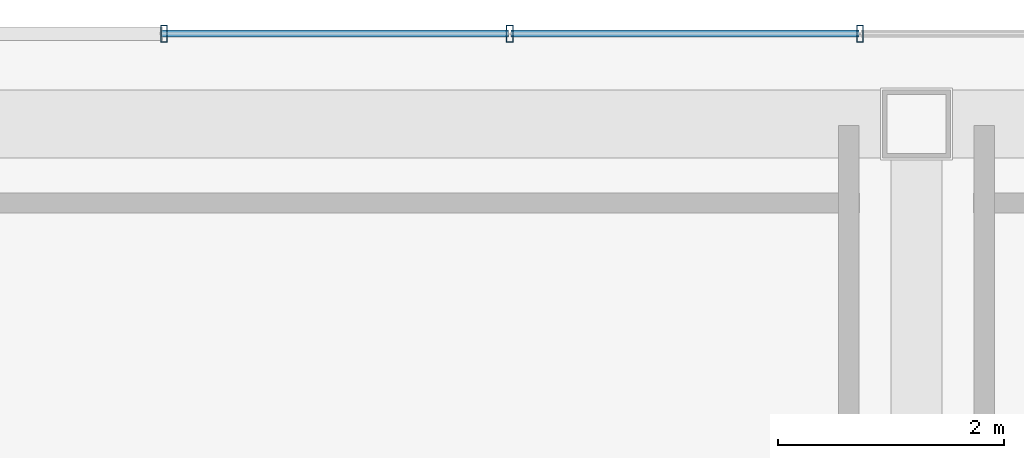
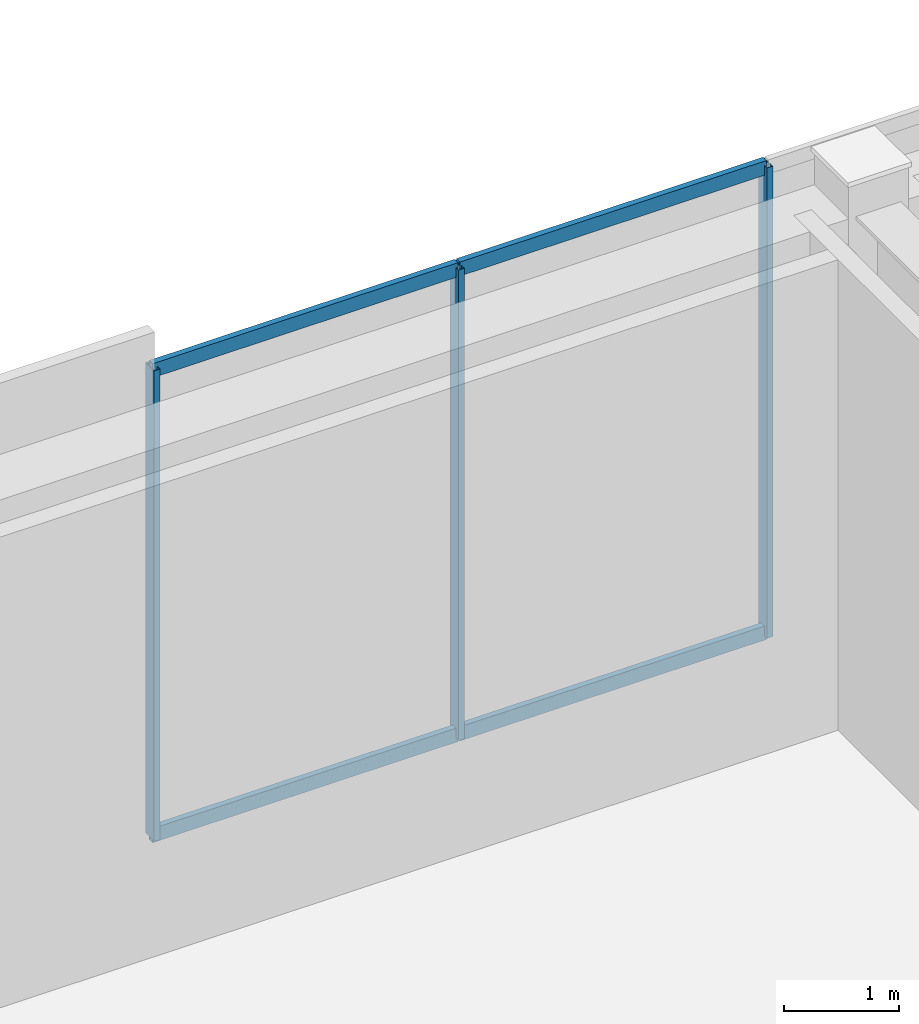
# One storey, part 5 of 9: 7 members, 1 element without a shape of its own.
"""IFC4 building model written with IfcOpenShell, lengths in metres."""

from ifc_helpers import new_model, si_unit, direction, frame, origin, origin_2d, place, context, subcontext, project, spatial, hollow_rectangle, extrude, material, material_profile, profile_set, type_object, element, aggregate, save


model = new_model("IFC4")

# Units and contexts
model_context = context("Model", 3, precision=1e-05, world=origin(), true_north=direction((0.0, 1.0)))
body_context = subcontext(model_context, "Body", "Model", "MODEL_VIEW")
ifc_project = project(units=[si_unit("LENGTHUNIT", "METRE"), si_unit("AREAUNIT", "SQUARE_METRE"), si_unit("VOLUMEUNIT", "CUBIC_METRE"), si_unit("PLANEANGLEUNIT", "RADIAN"), si_unit("MASSUNIT", "GRAM", prefix="KILO")], contexts=[model_context])

# Site, building, storey
site_placement = place(None, origin())
site = spatial("IfcSite", under=ifc_project, at=site_placement, CompositionType="ELEMENT")
building_placement = place(site_placement, origin())
building = spatial("IfcBuilding", under=site, at=building_placement, Name="Ventersveld Concourse Tower", CompositionType="ELEMENT")
storey_placement = place(building_placement, frame((0.0, 0.0, 388.25)))
storey = spatial("IfcBuildingStorey", under=building, at=storey_placement, Name="L94", CompositionType="ELEMENT", Elevation=388.25)

# Curtain wall, members
ifc_material = material(Name="Anodised aluminium EN AW-6063-T6", Category="aluminium")
curtain_wall_type = type_object("IfcCurtainWallType", Name="CW-CRN-6", PredefinedType="NOTDEFINED", material=ifc_material)
curtain_wall_placement = place(storey_placement, origin())
curtain_wall = element("IfcCurtainWall", 1, at=curtain_wall_placement, inside=storey, type_object=curtain_wall_type, Name="L94 L94 Crown North Glazed Curtain Wall 1", PredefinedType="NOTDEFINED")
ifc_material_profile_1 = material_profile(ifc_material, hollow_rectangle(XDim=0.06005859375, YDim=0.14990234375, WallThickness=0.00390625, at=origin_2d()), Name="ALU 150x60x4")
ifc_profile_set_1 = profile_set([ifc_material_profile_1], Name="Anodised aluminium EN AW-6063-T6")
member_type_1 = type_object("IfcMemberType", Name="CWM-150x65", PredefinedType="MULLION", material=ifc_profile_set_1)
member_1_placement = place(storey_placement, frame((35.75, 22.0, 0.0), z_axis=(0.0, 0.0, 1.0), x_axis=(1.0, 0.0, 0.0)))
member_1 = element("IfcMember", 2, at=member_1_placement, type_object=member_type_1, Name="CW-L94-N1 Mullion 03", PredefinedType="MULLION", context=body_context, shape_type="SweptSolid", body=[
    extrude(hollow_rectangle(XDim=0.06005859375, YDim=0.14990234375, WallThickness=0.00390625, at=origin_2d()), origin(), (0.0, 0.0, 1.0), 5.0),
])
member_2_placement = place(storey_placement, frame((32.64990234375, 22.0, 0.0), z_axis=(0.0, 0.0, 1.0), x_axis=(1.0, 0.0, 0.0)))
member_2 = element("IfcMember", 3, at=member_2_placement, type_object=member_type_1, Name="CW-L94-N1 Mullion 04", PredefinedType="MULLION", context=body_context, shape_type="SweptSolid", body=[
    extrude(hollow_rectangle(XDim=0.06005859375, YDim=0.14990234375, WallThickness=0.00390625, at=origin_2d()), origin(), (0.0, 0.0, 1.0), 5.0),
])
member_3_placement = place(storey_placement, frame((29.590087890625, 22.0, 0.0), z_axis=(0.0, 0.0, 1.0), x_axis=(1.0, 0.0, 0.0)))
member_3 = element("IfcMember", 4, at=member_3_placement, type_object=member_type_1, Name="CW-L94-N1 Mullion 05", PredefinedType="MULLION", context=body_context, shape_type="SweptSolid", body=[
    extrude(hollow_rectangle(XDim=0.06005859375, YDim=0.14990234375, WallThickness=0.00390625, at=origin_2d()), origin(), (0.0, 0.0, 1.0), 5.0),
])
ifc_material_profile_2 = material_profile(ifc_material, hollow_rectangle(XDim=0.06005859375, YDim=0.14990234375, WallThickness=0.00390625, at=origin_2d()), Name="ALU 150x60x4")
ifc_profile_set_2 = profile_set([ifc_material_profile_2], Name="Anodised aluminium EN AW-6063-T6")
member_type_2 = type_object("IfcMemberType", Name="CWT-150x60", PredefinedType="USERDEFINED", material=ifc_profile_set_2)
member_4_placement = place(storey_placement, frame((35.739990234375, 22.0, 0.030029296875), z_axis=(-1.0, 0.0, 0.0), x_axis=(0.0, -1.0, 0.0)))
member_4 = element("IfcMember", 5, at=member_4_placement, type_object=member_type_2, Name="CW-L94-N1 Transom 1-03", ObjectType="TRANSOM", PredefinedType="USERDEFINED", context=body_context, shape_type="SweptSolid", body=[
    extrude(hollow_rectangle(XDim=0.06005859375, YDim=0.14990234375, WallThickness=0.00390625, at=origin_2d()), origin(), (0.0, 0.0, 1.0), 3.080078125),
])
member_5_placement = place(storey_placement, frame((32.639892578125, 22.0, 0.030029296875), z_axis=(-1.0, 0.0, 0.0), x_axis=(0.0, -1.0, 0.0)))
member_5 = element("IfcMember", 6, at=member_5_placement, type_object=member_type_2, Name="CW-L94-N1 Transom 1-04", ObjectType="TRANSOM", PredefinedType="USERDEFINED", context=body_context, shape_type="SweptSolid", body=[
    extrude(hollow_rectangle(XDim=0.06005859375, YDim=0.14990234375, WallThickness=0.00390625, at=origin_2d()), origin(), (0.0, 0.0, 1.0), 3.06982421875),
])
member_6_placement = place(storey_placement, frame((35.739990234375, 22.0, 4.969970703125), z_axis=(-1.0, 0.0, 0.0), x_axis=(0.0, -1.0, 0.0)))
member_6 = element("IfcMember", 7, at=member_6_placement, type_object=member_type_2, Name="CW-L94-N1 Transom 2-03", ObjectType="TRANSOM", PredefinedType="USERDEFINED", context=body_context, shape_type="SweptSolid", body=[
    extrude(hollow_rectangle(XDim=0.06005859375, YDim=0.14990234375, WallThickness=0.00390625, at=origin_2d()), origin(), (0.0, 0.0, 1.0), 3.080078125),
])
member_7_placement = place(storey_placement, frame((32.639892578125, 22.0, 4.969970703125), z_axis=(-1.0, 0.0, 0.0), x_axis=(0.0, -1.0, 0.0)))
member_7 = element("IfcMember", 8, at=member_7_placement, type_object=member_type_2, Name="CW-L94-N1 Transom 2-04", ObjectType="TRANSOM", PredefinedType="USERDEFINED", context=body_context, shape_type="SweptSolid", body=[
    extrude(hollow_rectangle(XDim=0.06005859375, YDim=0.14990234375, WallThickness=0.00390625, at=origin_2d()), origin(), (0.0, 0.0, 1.0), 3.06982421875),
])
aggregate(curtain_wall, [member_1, member_2, member_3, member_4, member_5, member_6, member_7])

save(model, "model.ifc")
